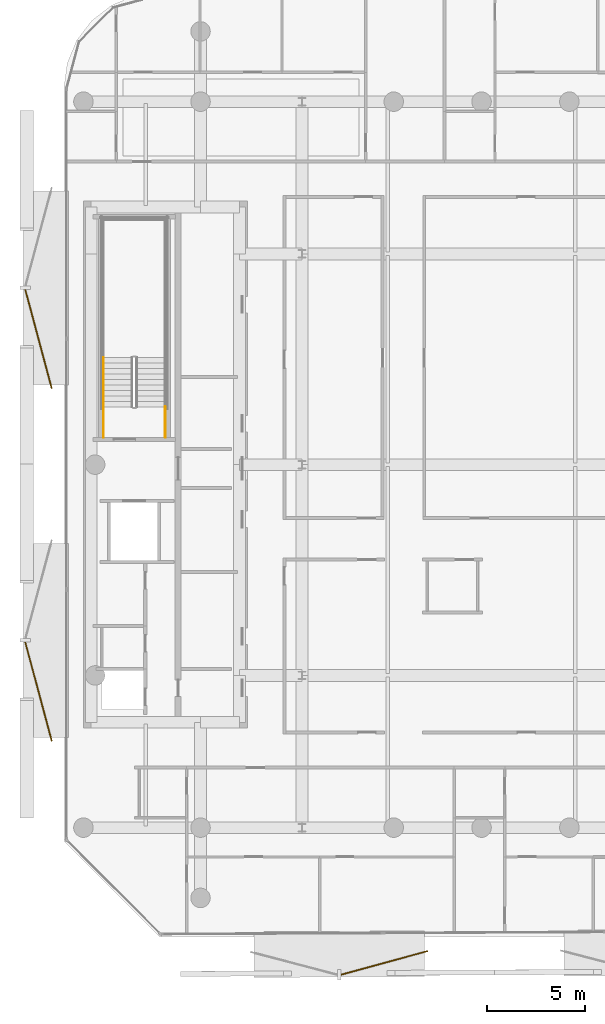
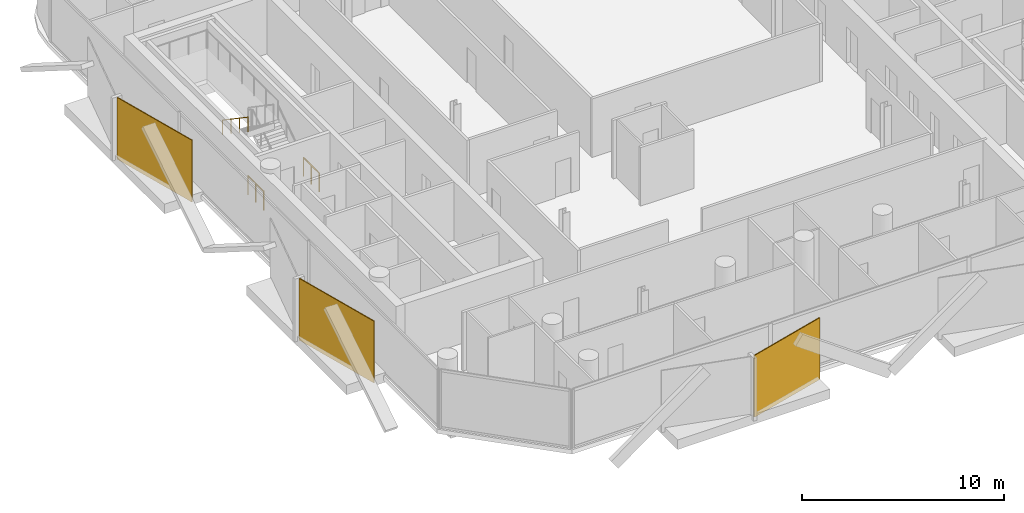
# One storey, part 13 of 16: 3 coverings, 3 railings.
"""IFC4 building model written with IfcOpenShell, lengths in metres."""

from ifc_helpers import new_model, si_unit, direction, frame, origin, origin_2d, place, context, subcontext, project, spatial, rectangle, circle, extrude, material, layer, layer_set, type_object, element, save


model = new_model("IFC4")

# Units and contexts
model_context = context("Model", 3, precision=1e-05, world=origin(), true_north=direction((0.0, 1.0)))
body_context = subcontext(model_context, "Body", "Model", "MODEL_VIEW")
ifc_project = project(units=[si_unit("LENGTHUNIT", "METRE"), si_unit("AREAUNIT", "SQUARE_METRE"), si_unit("VOLUMEUNIT", "CUBIC_METRE"), si_unit("PLANEANGLEUNIT", "RADIAN"), si_unit("MASSUNIT", "GRAM", prefix="KILO")], contexts=[model_context])

# Site, building, storey
site_placement = place(None, origin())
site = spatial("IfcSite", under=ifc_project, at=site_placement, CompositionType="ELEMENT")
building_placement = place(site_placement, origin())
building = spatial("IfcBuilding", under=site, at=building_placement, Name="Khairoan Windgate Tower", CompositionType="ELEMENT")
storey_placement = place(building_placement, frame((0.0, 0.0, 277.60009765625)))
storey = spatial("IfcBuildingStorey", under=building, at=storey_placement, Name="L66", CompositionType="ELEMENT", Elevation=277.60009765625)

# Coverings
ifc_material_1 = material(Name="Anodised Bronze Aluminium 6063-T6", Category="aluminium")
ifc_layer = layer(ifc_material_1, 0.054931640625, Name="Anodised Bronze Aluminium 6063-T6")
ifc_layer_set = layer_set([ifc_layer], Name="Anodised Bronze Aluminium 6063-T6")
covering_type = type_object("IfcCoveringType", Name="Perforated Bronze-Ceramic Folded Solar Screen Cladding BSC-1", PredefinedType="CLADDING", material=ifc_layer_set)
covering_placement = place(storey_placement, frame((-4.976318359375, -25.529052734375, -0.10009765625), z_axis=(0.0, 0.0, 1.0), x_axis=(-0.964695449838, -0.263367972734, 0.0)))
element("IfcCovering", 1, at=covering_placement, inside=storey, type_object=covering_type, Name="L66 Folded Bronze Solar Screen Facet 455L", PredefinedType="CLADDING", context=body_context, shape_type="SweptSolid", body=[
    extrude(rectangle(XDim=4.60693359375, YDim=0.054931640625, at=origin_2d()), origin(), (0.0, 0.0, 1.0), 3.739990234375),
])
for number, where, z_axis, x_axis, name in (
    (2, (-22.701904296875, -11.62890625, -0.10009765625), (0.0, 0.0, 1.0), (-0.258819045103, 0.965925826289, 0.0), "L66 Folded Bronze Solar Screen Facet 456L"),
    (3, (-22.701904296875, 6.4375, -0.10009765625), (0.0, 0.0, 1.0), (-0.258819045103, 0.965925826289, 0.0), "L66 Folded Bronze Solar Screen Facet 457L"),
):
    element("IfcCovering", number, at=place(storey_placement, frame(where, z_axis=z_axis, x_axis=x_axis)), inside=storey, type_object=covering_type, Name=name, PredefinedType="CLADDING", context=body_context, shape_type="SweptSolid", body=[
        extrude(rectangle(XDim=5.239013671875, YDim=0.054931640625, at=origin_2d()), origin(), (0.0, 0.0, 1.0), 3.739990234375),
    ])

# Railings
ifc_material_2 = material(Name="Anodised Bronze Aluminium 6063-T6", Category="aluminium")
railing_type_1 = type_object("IfcRailingType", Name="Stair Wall Handrail SHR-900", PredefinedType="HANDRAIL", material=ifc_material_2)
railing_placement = place(storey_placement, frame((-19.3701171875, 5.47998046875, 2.08984375)))
element("IfcRailing", 4, at=railing_placement, inside=storey, type_object=railing_type_1, Name="L66 ST2 stair handrail 2", PredefinedType="HANDRAIL", context=body_context, shape_type="SweptSolid", body=[
    extrude(circle(Radius=0.02392578125, at=origin_2d()), frame((0.0, 0.0, 0.8759765625), z_axis=(0.0, -0.827483756001, 0.561489655786), x_axis=(1.0, 0.0, 0.0)), (0.0, 0.0, 1.0), 3.04541015625),
    extrude(circle(Radius=0.02099609375, at=origin_2d()), origin(), (0.0, 0.0, 1.0), 0.851806640625),
    extrude(circle(Radius=0.02099609375, at=origin_2d()), frame((0.0, -0.840087890625, 0.570068359375)), (0.0, 0.0, 1.0), 0.851806640625),
    extrude(circle(Radius=0.02099609375, at=origin_2d()), frame((0.0, -1.679931640625, 1.139892578125)), (0.0, 0.0, 1.0), 0.851806640625),
    extrude(circle(Radius=0.02099609375, at=origin_2d()), frame((0.0, -2.52001953125, 1.7099609375)), (0.0, 0.0, 1.0), 0.851806640625),
])
ifc_material_3 = material(Name="Steel S355", Category="steel")
railing_type_2 = type_object("IfcRailingType", Name="Stairwell Safety Guardrail SGR-1150", PredefinedType="GUARDRAIL", material=ifc_material_3)
for number, where, name in (
    (5, (-16.199951171875, 1.39990234375, 0.0), "L66 ST2 stair guard 8"),
    (6, (-19.3701171875, 1.39990234375, 0.0), "L66 ST2 stair guard 9"),
):
    element("IfcRailing", number, at=place(storey_placement, frame(where)), inside=storey, type_object=railing_type_2, Name=name, PredefinedType="GUARDRAIL", context=body_context, shape_type="SweptSolid", body=[
        extrude(circle(Radius=0.02392578125, at=origin_2d()), frame((0.0, 0.0, 1.1259765625), z_axis=(0.0, 1.0, 0.0), x_axis=(-1.0, 0.0, 0.0)), (0.0, 0.0, 1.0), 1.56005859375),
        extrude(circle(Radius=0.02099609375, at=origin_2d()), origin(), (0.0, 0.0, 1.0), 1.101806640625),
        extrude(circle(Radius=0.02099609375, at=origin_2d()), frame((0.0, 0.780029296875, 0.0)), (0.0, 0.0, 1.0), 1.101806640625),
        extrude(circle(Radius=0.02099609375, at=origin_2d()), frame((0.0, 1.56005859375, 0.0)), (0.0, 0.0, 1.0), 1.101806640625),
    ])

save(model, "model.ifc")
